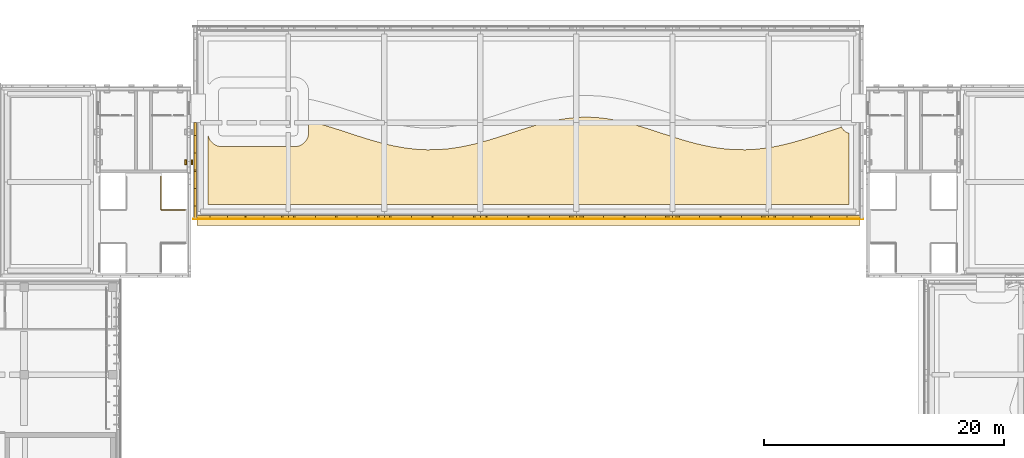
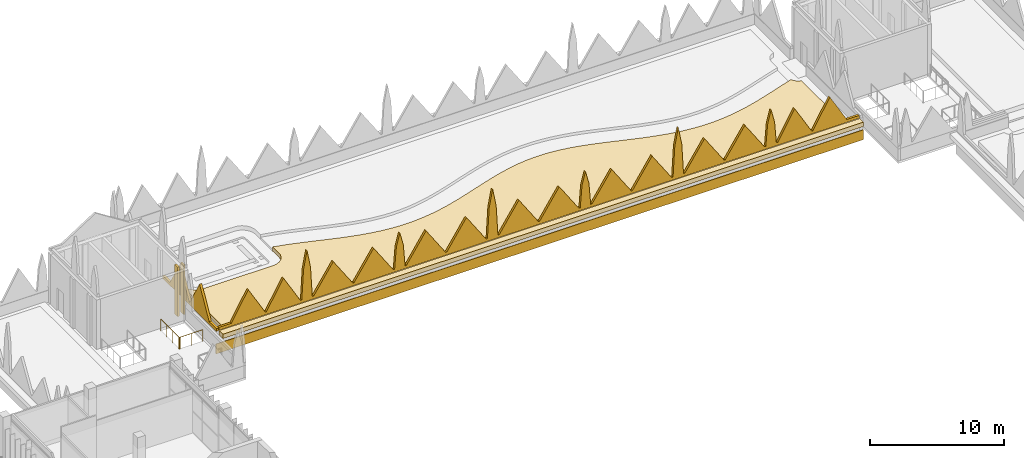
# One storey, part 38 of 46: 7 coverings, 1 railing.
"""IFC4 building model written with IfcOpenShell, lengths in metres."""

from ifc_helpers import new_model, si_unit, direction, frame, frame_2d, origin, origin_2d, place, context, subcontext, project, spatial, polyline, rectangle, circle, outline, extrude, material, layer, layer_set, type_object, element, save


model = new_model("IFC4")

# Units and contexts
model_context = context("Model", 3, precision=1e-05, world=origin(), true_north=direction((0.0, 1.0)))
body_context = subcontext(model_context, "Body", "Model", "MODEL_VIEW")
ifc_project = project(units=[si_unit("LENGTHUNIT", "METRE"), si_unit("AREAUNIT", "SQUARE_METRE"), si_unit("VOLUMEUNIT", "CUBIC_METRE"), si_unit("PLANEANGLEUNIT", "RADIAN"), si_unit("MASSUNIT", "GRAM", prefix="KILO")], contexts=[model_context])

# Site, building, storey
site_placement = place(None, origin())
site = spatial("IfcSite", under=ifc_project, at=site_placement, CompositionType="ELEMENT")
building_placement = place(site_placement, origin())
building = spatial("IfcBuilding", under=site, at=building_placement, Name="Lantern Court Media Centre", CompositionType="ELEMENT")
storey_placement = place(building_placement, frame((0.0, 0.0, 28.800048828125)))
storey = spatial("IfcBuildingStorey", under=building, at=storey_placement, Name="L06", CompositionType="ELEMENT", Elevation=28.800048828125)

# Railing
ifc_material_1 = material(Name="Powder-coated steel", Category="steel")
railing_type = type_object("IfcRailingType", Name="Floor edge guard 1100", PredefinedType="GUARDRAIL", material=ifc_material_1)
railing_placement = place(storey_placement, frame((23.39990234375, 101.739990234375, 0.0)))
element("IfcRailing", 1, at=railing_placement, inside=storey, type_object=railing_type, Name="L06 opening guard 155", PredefinedType="GUARDRAIL", context=body_context, shape_type="SweptSolid", body=[
    extrude(circle(Radius=0.02392578125, at=origin_2d()), frame((0.0, 0.0, 1.076171875), z_axis=(-1.0, 0.0, 0.0), x_axis=(0.0, -1.0, 0.0)), (0.0, 0.0, 1.0), 1.949951171875),
    extrude(circle(Radius=0.02392578125, at=origin_2d()), frame((-1.949951171875, 0.0, 1.076171875), z_axis=(-0.999133073092, 0.041630544712, 0.0), x_axis=(-0.041630544712, -0.999133073092, 0.0)), (0.0, 0.0, 1.0), 0.005859375),
    extrude(circle(Radius=0.02392578125, at=origin_2d()), frame((-1.955810546875, 0.000244140625, 1.076171875), z_axis=(-0.986393923832, 0.164398987305, 0.0), x_axis=(-0.164398987305, -0.986393923832, 0.0)), (0.0, 0.0, 1.0), 0.005859375),
    extrude(circle(Radius=0.02392578125, at=origin_2d()), frame((-1.961669921875, 0.001220703125, 1.076171875), z_axis=(-0.967617272397, 0.252421897147, 0.0), x_axis=(-0.252421897147, -0.967617272397, 0.0)), (0.0, 0.0, 1.0), 0.005859375),
    extrude(circle(Radius=0.02392578125, at=origin_2d()), frame((-1.96728515625, 0.002685546875, 1.076171875), z_axis=(-0.944496796706, 0.328520624941, 0.0), x_axis=(-0.328520624941, -0.944496796706, 0.0)), (0.0, 0.0, 1.0), 0.005859375),
    extrude(circle(Radius=0.02392578125, at=origin_2d()), frame((-1.972900390625, 0.004638671875, 1.076171875), z_axis=(-0.910366477463, 0.413802944301, 0.0), x_axis=(-0.413802944301, -0.910366477463, 0.0)), (0.0, 0.0, 1.0), 0.005859375),
    extrude(circle(Radius=0.02392578125, at=origin_2d()), frame((-1.978271484375, 0.007080078125, 1.076171875), z_axis=(-0.857492925713, 0.514495755428, 0.0), x_axis=(-0.514495755428, -0.857492925713, 0.0)), (0.0, 0.0, 1.0), 0.005615234375),
    extrude(circle(Radius=0.02392578125, at=origin_2d()), frame((-1.983154296875, 0.010009765625, 1.076171875), z_axis=(-0.8, 0.6, 0.0), x_axis=(-0.6, -0.8, 0.0)), (0.0, 0.0, 1.0), 0.006103515625),
    extrude(circle(Radius=0.02392578125, at=origin_2d()), frame((-1.988037109375, 0.013671875, 1.076171875), z_axis=(-0.747409318684, 0.66436383883, 0.0), x_axis=(-0.66436383883, -0.747409318684, 0.0)), (0.0, 0.0, 1.0), 0.005859375),
    extrude(circle(Radius=0.02392578125, at=origin_2d()), frame((-1.992431640625, 0.017578125, 1.076171875), z_axis=(-0.66436383883, 0.747409318684, 0.0), x_axis=(-0.747409318684, -0.66436383883, 0.0)), (0.0, 0.0, 1.0), 0.005859375),
    extrude(circle(Radius=0.02392578125, at=origin_2d()), frame((-1.996337890625, 0.02197265625, 1.076171875), z_axis=(-0.59319903805, 0.805055837353, 0.0), x_axis=(-0.805055837353, -0.59319903805, 0.0)), (0.0, 0.0, 1.0), 0.005859375),
    extrude(circle(Radius=0.02392578125, at=origin_2d()), frame((-1.999755859375, 0.026611328125, 1.076171875), z_axis=(-0.526354614616, 0.850265146688, 0.0), x_axis=(-0.850265146688, -0.526354614616, 0.0)), (0.0, 0.0, 1.0), 0.006103515625),
    extrude(circle(Radius=0.02392578125, at=origin_2d()), frame((-2.0029296875, 0.03173828125, 1.076171875), z_axis=(-0.413802944301, 0.910366477463, 0.0), x_axis=(-0.910366477463, -0.413802944301, 0.0)), (0.0, 0.0, 1.0), 0.005859375),
    extrude(circle(Radius=0.02392578125, at=origin_2d()), frame((-2.00537109375, 0.037109375, 1.076171875), z_axis=(-0.341743063087, 0.939793423488, 0.0), x_axis=(-0.939793423488, -0.341743063087, 0.0)), (0.0, 0.0, 1.0), 0.005615234375),
    extrude(circle(Radius=0.02392578125, at=origin_2d()), frame((-2.00732421875, 0.04248046875, 1.076171875), z_axis=(-0.242535625036, 0.970142500145, 0.0), x_axis=(-0.970142500145, -0.242535625036, 0.0)), (0.0, 0.0, 1.0), 0.006103515625),
    extrude(circle(Radius=0.02392578125, at=origin_2d()), frame((-2.0087890625, 0.04833984375, 1.076171875), z_axis=(-0.124034734589, 0.992277876714, 0.0), x_axis=(-0.992277876714, -0.124034734589, 0.0)), (0.0, 0.0, 1.0), 0.005859375),
    extrude(circle(Radius=0.02392578125, at=origin_2d()), frame((-2.009521484375, 0.05419921875, 1.076171875), z_axis=(-0.083045479854, 0.996545758245, 0.0), x_axis=(-0.996545758245, -0.083045479854, 0.0)), (0.0, 0.0, 1.0), 0.005859375),
    extrude(circle(Radius=0.02392578125, at=origin_2d()), frame((-2.010009765625, 0.06005859375, 1.076171875), z_axis=(0.0, 1.0, 0.0), x_axis=(-1.0, 0.0, 0.0)), (0.0, 0.0, 1.0), 2.699951171875),
    extrude(circle(Radius=0.02099609375, at=origin_2d()), origin(), (0.0, 0.0, 1.0), 1.052001953125),
    extrude(circle(Radius=0.02099609375, at=origin_2d()), frame((-0.97509765625, 0.0, 0.0)), (0.0, 0.0, 1.0), 1.052001953125),
    extrude(circle(Radius=0.02099609375, at=origin_2d()), frame((-1.949951171875, 0.0, 0.0)), (0.0, 0.0, 1.0), 1.052001953125),
    extrude(circle(Radius=0.02099609375, at=origin_2d()), frame((-1.955810546875, 0.000244140625, 0.0)), (0.0, 0.0, 1.0), 1.052001953125),
    extrude(circle(Radius=0.02099609375, at=origin_2d()), frame((-1.961669921875, 0.001220703125, 0.0)), (0.0, 0.0, 1.0), 1.052001953125),
    extrude(circle(Radius=0.02099609375, at=origin_2d()), frame((-1.96728515625, 0.002685546875, 0.0)), (0.0, 0.0, 1.0), 1.052001953125),
    extrude(circle(Radius=0.02099609375, at=origin_2d()), frame((-1.972900390625, 0.004638671875, 0.0)), (0.0, 0.0, 1.0), 1.052001953125),
    extrude(circle(Radius=0.02099609375, at=origin_2d()), frame((-1.978271484375, 0.007080078125, 0.0)), (0.0, 0.0, 1.0), 1.052001953125),
    extrude(circle(Radius=0.02099609375, at=origin_2d()), frame((-1.983154296875, 0.010009765625, 0.0)), (0.0, 0.0, 1.0), 1.052001953125),
    extrude(circle(Radius=0.02099609375, at=origin_2d()), frame((-1.988037109375, 0.013671875, 0.0)), (0.0, 0.0, 1.0), 1.052001953125),
    extrude(circle(Radius=0.02099609375, at=origin_2d()), frame((-1.992431640625, 0.017578125, 0.0)), (0.0, 0.0, 1.0), 1.052001953125),
    extrude(circle(Radius=0.02099609375, at=origin_2d()), frame((-1.996337890625, 0.02197265625, 0.0)), (0.0, 0.0, 1.0), 1.052001953125),
    extrude(circle(Radius=0.02099609375, at=origin_2d()), frame((-1.999755859375, 0.026611328125, 0.0)), (0.0, 0.0, 1.0), 1.052001953125),
    extrude(circle(Radius=0.02099609375, at=origin_2d()), frame((-2.0029296875, 0.03173828125, 0.0)), (0.0, 0.0, 1.0), 1.052001953125),
    extrude(circle(Radius=0.02099609375, at=origin_2d()), frame((-2.00537109375, 0.037109375, 0.0)), (0.0, 0.0, 1.0), 1.052001953125),
    extrude(circle(Radius=0.02099609375, at=origin_2d()), frame((-2.00732421875, 0.04248046875, 0.0)), (0.0, 0.0, 1.0), 1.052001953125),
    extrude(circle(Radius=0.02099609375, at=origin_2d()), frame((-2.0087890625, 0.04833984375, 0.0)), (0.0, 0.0, 1.0), 1.052001953125),
    extrude(circle(Radius=0.02099609375, at=origin_2d()), frame((-2.009521484375, 0.05419921875, 0.0)), (0.0, 0.0, 1.0), 1.052001953125),
    extrude(circle(Radius=0.02099609375, at=origin_2d()), frame((-2.010009765625, 0.06005859375, 0.0)), (0.0, 0.0, 1.0), 1.052001953125),
    extrude(circle(Radius=0.02099609375, at=origin_2d()), frame((-2.010009765625, 0.9599609375, 0.0)), (0.0, 0.0, 1.0), 1.052001953125),
    extrude(circle(Radius=0.02099609375, at=origin_2d()), frame((-2.010009765625, 1.860107421875, 0.0)), (0.0, 0.0, 1.0), 1.052001953125),
    extrude(circle(Radius=0.02099609375, at=origin_2d()), frame((-2.010009765625, 2.760009765625, 0.0)), (0.0, 0.0, 1.0), 1.052001953125),
])

# Coverings
ifc_material_2 = material(Name="White glass-fibre reinforced cement cladding", Category="concrete")
ifc_layer_1 = layer(ifc_material_2, 0.050048828125)
ifc_layer_set_1 = layer_set([ifc_layer_1], Name="White glass-fibre reinforced cement cladding")
covering_type_1 = type_object("IfcCoveringType", Name="Floor-edge band 50", PredefinedType="CLADDING", material=ifc_layer_set_1)
covering_1_placement = place(storey_placement, frame((24.10009765625, 100.97509765625, -0.900146484375), z_axis=(0.0, 0.0, 1.0), x_axis=(1.0, 0.0, 0.0)))
element("IfcCovering", 2, at=covering_1_placement, inside=storey, type_object=covering_type_1, Name="Floor-edge band N inner roof", PredefinedType="CLADDING", context=body_context, shape_type="SweptSolid", body=[
    extrude(rectangle(XDim=55.7998046875, YDim=0.050048828125, at=frame_2d((27.89990234375, 0.0))), origin(), (0.0, 0.0, 1.0), 0.900146484375),
])
ifc_material_3 = material(Name="Honed limestone cladding on blockwork", Category="masonry")
ifc_layer_2 = layer(ifc_material_3, 0.550048828125)
ifc_layer_set_2 = layer_set([ifc_layer_2], Name="Honed limestone cladding on blockwork")
covering_type_2 = type_object("IfcCoveringType", Name="Limestone cornice 550", PredefinedType="CLADDING", material=ifc_layer_set_2)
covering_2_placement = place(storey_placement, frame((24.39990234375, 100.72509765625, 0.699951171875), z_axis=(0.0, 0.0, 1.0), x_axis=(1.0, 0.0, 0.0)))
element("IfcCovering", 3, at=covering_2_placement, inside=storey, type_object=covering_type_2, Name="Attic cornice", PredefinedType="CLADDING", context=body_context, shape_type="SweptSolid", body=[
    extrude(rectangle(XDim=55.2001953125, YDim=0.550048828125, at=frame_2d((27.60009765625, 0.0))), origin(), (0.0, 0.0, 1.0), 0.39990234375),
])
ifc_layer_3 = layer(ifc_material_3, 0.199951171875)
ifc_layer_set_3 = layer_set([ifc_layer_3], Name="Honed limestone cladding on blockwork")
covering_type_3 = type_object("IfcCoveringType", Name="Limestone cresting 200", PredefinedType="CLADDING", material=ifc_layer_set_3)
covering_3_placement = place(storey_placement, frame((24.25, 101.0, 1.099853515625), z_axis=(0.0, 0.0, 1.0), x_axis=(0.0, 1.0, 0.0)))
element("IfcCovering", 4, at=covering_3_placement, inside=storey, type_object=covering_type_3, Name="Parapet cresting", PredefinedType="CLADDING", context=body_context, shape_type="SweptSolid", body=[
    extrude(outline(polyline([(0.0, 0.0), (8.0, 0.0), (8.0, 0.25), (6.929931640625, 0.25), (5.489990234375, 2.800048828125), (4.050048828125, 0.25), (3.949951171875, 0.25), (2.510009765625, 2.800048828125), (1.070068359375, 0.25), (0.0, 0.25), (0.0, 0.0)])), frame((0.0, 0.10009765625, 0.0), z_axis=(0.0, -1.0, 0.0), x_axis=(1.0, 0.0, 0.0)), (0.0, 0.0, 1.0), 0.199951171875),
])
covering_4_placement = place(storey_placement, frame((24.39990234375, 101.14990234375, 1.099853515625), z_axis=(0.0, 0.0, 1.0), x_axis=(1.0, 0.0, 0.0)))
element("IfcCovering", 5, at=covering_4_placement, inside=storey, type_object=covering_type_3, Name="Parapet cresting", PredefinedType="CLADDING", context=body_context, shape_type="SweptSolid", body=[
    extrude(outline(polyline([(0.0, 0.0), (55.2001953125, 0.0), (55.199951171875, 0.25), (54.1298828125, 0.25), (52.6650390625, 2.800048828125), (51.199951171875, 0.25), (51.10009765625, 0.25), (49.635009765625, 2.800048828125), (48.169921875, 0.25), (48.050048828125, 0.25), (47.89990234375, 2.210205078125), (47.60009765625, 3.400146484375), (47.300048828125, 2.210205078125), (47.14990234375, 0.25), (47.030029296875, 0.25), (45.340087890625, 2.800048828125), (43.64990234375, 0.25), (43.550048828125, 0.25), (41.860107421875, 2.800048828125), (40.169921875, 0.25), (40.050048828125, 0.25), (39.89990234375, 2.983642578125), (39.60009765625, 4.590087890625), (39.300048828125, 2.983642578125), (39.14990234375, 0.25), (39.030029296875, 0.25), (37.340087890625, 2.800048828125), (35.64990234375, 0.25), (35.550048828125, 0.25), (33.860107421875, 2.800048828125), (32.169921875, 0.25), (32.050048828125, 0.25), (31.89990234375, 2.210205078125), (31.60009765625, 3.400146484375), (31.300048828125, 2.210205078125), (31.14990234375, 0.25), (31.030029296875, 0.25), (29.340087890625, 2.800048828125), (27.64990234375, 0.25), (27.550048828125, 0.25), (25.860107421875, 2.800048828125), (24.169921875, 0.25), (24.050048828125, 0.25), (23.89990234375, 2.983642578125), (23.60009765625, 4.590087890625), (23.300048828125, 2.983642578125), (23.14990234375, 0.25), (23.030029296875, 0.25), (21.340087890625, 2.800048828125), (19.64990234375, 0.25), (19.550048828125, 0.25), (17.860107421875, 2.800048828125), (16.169921875, 0.25), (16.050048828125, 0.25), (15.89990234375, 2.210205078125), (15.60009765625, 3.400146484375), (15.300048828125, 2.210205078125), (15.14990234375, 0.25), (15.030029296875, 0.25), (13.340087890625, 2.800048828125), (11.64990234375, 0.25), (11.550048828125, 0.25), (9.860107421875, 2.800048828125), (8.169921875, 0.25), (8.050048828125, 0.25), (7.89990234375, 2.983642578125), (7.60009765625, 4.590087890625), (7.300048828125, 2.983642578125), (7.14990234375, 0.25), (7.030029296875, 0.25), (5.56494140625, 2.800048828125), (4.10009765625, 0.25), (4.0, 0.25), (2.534912109375, 2.800048828125), (1.070068359375, 0.25), (0.0, 0.25), (0.0, 0.0)])), frame((0.0, 0.10009765625, 0.0), z_axis=(0.0, -1.0, 0.0), x_axis=(1.0, 0.0, 0.0)), (0.0, 0.0, 1.0), 0.199951171875),
])
ifc_material_4 = material(Name="Honed limestone cladding", Category="masonry")
ifc_layer_4 = layer(ifc_material_4, 0.14990234375)
ifc_layer_set_4 = layer_set([ifc_layer_4], Name="Honed limestone cladding")
covering_type_4 = type_object("IfcCoveringType", Name="Limestone pilaster cladding 150", PredefinedType="CLADDING", material=ifc_layer_set_4)
for number, where, z_axis, x_axis, name in (
    (6, (23.97509765625, 105.925048828125, 0.0), (0.0, 0.0, 1.0), (0.0, -1.0, 0.0), "Limestone pilaster rib"),
    (7, (23.47509765625, 105.925048828125, 0.0), (0.0, 0.0, 1.0), (0.0, -1.0, 0.0), "Limestone pilaster rib"),
):
    element("IfcCovering", number, at=place(storey_placement, frame(where, z_axis=z_axis, x_axis=x_axis)), inside=storey, type_object=covering_type_4, Name=name, PredefinedType="CLADDING", context=body_context, shape_type="SweptSolid", body=[
        extrude(rectangle(XDim=0.449951171875, YDim=0.14990234375, at=frame_2d((0.22509765625, 0.0))), origin(), (0.0, 0.0, 1.0), 4.5),
    ])
ifc_material_5 = material(Name="Planting substrate")
ifc_layer_5 = layer(ifc_material_5, 0.39990234375)
ifc_layer_set_5 = layer_set([ifc_layer_5], Name="Planting substrate")
covering_type_5 = type_object("IfcCoveringType", Name="Planted roof garden build-up 400", PredefinedType="ROOFING", material=ifc_layer_set_5)
covering_5_placement = place(storey_placement, frame((0.0, 0.0, 0.14990234375)))
element("IfcCovering", 8, at=covering_5_placement, inside=storey, type_object=covering_type_5, Name="Planted roof garden N", PredefinedType="ROOFING", context=body_context, shape_type="SweptSolid", body=[
    extrude(outline(polyline([(25.365966796875, 107.81005859375), (25.375, 107.781982421875), (25.408935546875, 107.699951171875), (25.422119140625, 107.674072265625), (25.462890625, 107.595947265625), (25.47900390625, 107.571044921875), (25.528076171875, 107.4970703125), (25.544921875, 107.47412109375), (25.60107421875, 107.405029296875), (25.62109375, 107.383056640625), (25.68310546875, 107.321044921875), (25.705078125, 107.301025390625), (25.77392578125, 107.2451171875), (25.797119140625, 107.22802734375), (25.87109375, 107.178955078125), (25.89599609375, 107.1630859375), (25.97412109375, 107.1220703125), (26.0, 107.10888671875), (26.08203125, 107.074951171875), (26.110107421875, 107.06591796875), (26.194091796875, 107.0400390625), (26.222900390625, 107.032958984375), (26.30908203125, 107.01611328125), (26.339111328125, 107.010986328125), (26.426025390625, 107.0029296875), (26.4560546875, 107.0009765625), (26.5, 107.0), (32.5, 107.0), (32.5439453125, 107.0009765625), (32.573974609375, 107.0029296875), (32.660888671875, 107.010986328125), (32.69091796875, 107.01611328125), (32.777099609375, 107.032958984375), (32.805908203125, 107.0400390625), (32.889892578125, 107.06591796875), (32.91796875, 107.074951171875), (33.0, 107.10888671875), (33.02587890625, 107.1220703125), (33.10400390625, 107.1630859375), (33.12890625, 107.178955078125), (33.202880859375, 107.22802734375), (33.22607421875, 107.2451171875), (33.294921875, 107.301025390625), (33.31689453125, 107.321044921875), (33.37890625, 107.383056640625), (33.39892578125, 107.405029296875), (33.455078125, 107.47412109375), (33.471923828125, 107.4970703125), (33.52099609375, 107.571044921875), (33.537109375, 107.595947265625), (33.577880859375, 107.674072265625), (33.591064453125, 107.699951171875), (33.625, 107.781982421875), (33.634033203125, 107.81005859375), (33.659912109375, 107.89404296875), (33.6669921875, 107.923095703125), (33.68408203125, 108.009033203125), (33.68896484375, 108.0390625), (33.697021484375, 108.1259765625), (33.698974609375, 108.156005859375), (33.699951171875, 108.199951171875), (33.699951171875, 109.116943359375), (33.738037109375, 109.110107421875), (34.506103515625, 108.9189453125), (35.283935546875, 108.697998046875), (36.071044921875, 108.4541015625), (36.866943359375, 108.195068359375), (37.6689453125, 107.931884765625), (37.677001953125, 107.929931640625), (38.47998046875, 107.675048828125), (38.4970703125, 107.6689453125), (39.300048828125, 107.431884765625), (39.325927734375, 107.425048828125), (40.12890625, 107.214111328125), (40.1650390625, 107.205078125), (40.967041015625, 107.028076171875), (41.010986328125, 107.02001953125), (41.81396484375, 106.884033203125), (41.864013671875, 106.876953125), (42.6669921875, 106.7880859375), (42.721923828125, 106.782958984375), (43.52490234375, 106.742919921875), (43.58203125, 106.741943359375), (44.385009765625, 106.7529296875), (44.44091796875, 106.756103515625), (45.243896484375, 106.81689453125), (45.297119140625, 106.822998046875), (46.10009765625, 106.931884765625), (46.14794921875, 106.93994140625), (46.949951171875, 107.093994140625), (46.990966796875, 107.10302734375), (47.7939453125, 107.294921875), (47.824951171875, 107.302978515625), (48.6279296875, 107.52587890625), (48.65087890625, 107.532958984375), (49.4541015625, 107.779052734375), (49.467041015625, 107.782958984375), (50.27001953125, 108.04296875), (50.27294921875, 108.0439453125), (51.072998046875, 108.305908203125), (51.865966796875, 108.56005859375), (52.64794921875, 108.7958984375), (53.422119140625, 109.0048828125), (54.18701171875, 109.179931640625), (54.945068359375, 109.31591796875), (55.696044921875, 109.407958984375), (56.443115234375, 109.4541015625), (57.18896484375, 109.452880859375), (57.93701171875, 109.405029296875), (58.68798828125, 109.31103515625), (59.446044921875, 109.173095703125), (60.2109375, 108.99609375), (60.985107421875, 108.785888671875), (61.76904296875, 108.550048828125), (62.56103515625, 108.294921875), (63.361083984375, 108.032958984375), (63.365966796875, 108.031005859375), (64.16796875, 107.77197265625), (64.181884765625, 107.76806640625), (64.985107421875, 107.52197265625), (65.008056640625, 107.51611328125), (65.81103515625, 107.2939453125), (65.843017578125, 107.284912109375), (66.64599609375, 107.094970703125), (66.68603515625, 107.0859375), (67.489013671875, 106.93408203125), (67.537109375, 106.926025390625), (68.340087890625, 106.819091796875), (68.39306640625, 106.81298828125), (69.196044921875, 106.75390625), (69.2529296875, 106.751953125), (70.054931640625, 106.742919921875), (70.113037109375, 106.743896484375), (70.9150390625, 106.785888671875), (70.969970703125, 106.791015625), (71.77294921875, 106.882080078125), (71.822998046875, 106.889892578125), (72.6259765625, 107.027099609375), (72.6689453125, 107.035888671875), (73.471923828125, 107.214111328125), (73.507080078125, 107.221923828125), (74.31005859375, 107.43505859375), (74.3359375, 107.44189453125), (75.138916015625, 107.679931640625), (75.156005859375, 107.68603515625), (75.9580078125, 107.94091796875), (75.966064453125, 107.944091796875), (76.76806640625, 108.2060546875), (77.56298828125, 108.465087890625), (78.0830078125, 108.6259765625), (78.10595703125, 108.575927734375), (78.152099609375, 108.5), (78.2041015625, 108.428955078125), (78.263916015625, 108.364013671875), (78.3291015625, 108.303955078125), (78.39990234375, 108.251953125), (78.47607421875, 108.2060546875), (78.555908203125, 108.1689453125), (78.638916015625, 108.138916015625), (78.699951171875, 108.123046875), (78.699951171875, 102.199951171875), (25.300048828125, 102.199951171875), (25.300048828125, 107.970947265625), (25.31591796875, 107.972900390625), (25.365966796875, 107.81005859375)])), origin(), (0.0, 0.0, 1.0), 0.400146484375),
])

save(model, "model.ifc")
